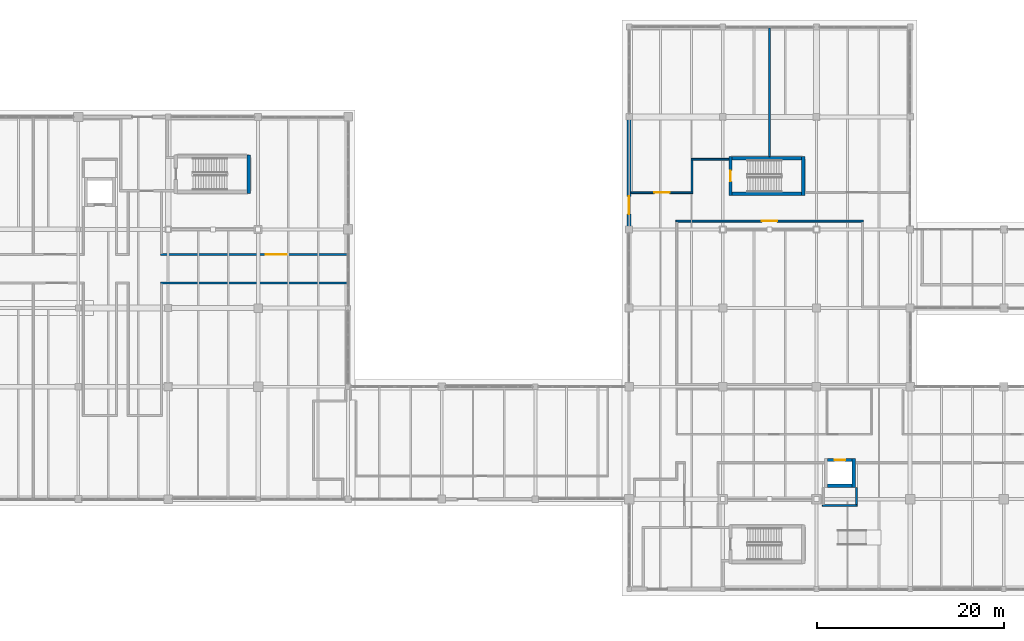
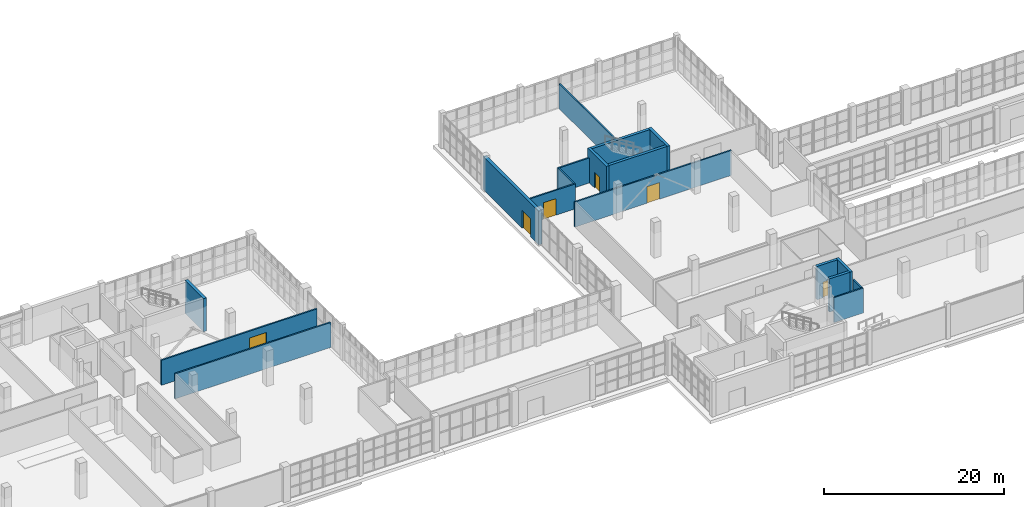
# One storey, part 102 of 121: 18 walls, 6 doors, 6 openings.
"""IFC4 building model written with IfcOpenShell, lengths in metres."""

from ifc_helpers import new_model, si_unit, direction, frame, frame_2d, origin, place, context, subcontext, project, spatial, rectangle, extrude, material, layer, layer_set, type_object, element, fill, save


model = new_model("IFC4")

# Units and contexts
model_context = context("Model", 3, precision=1e-05, world=origin(), true_north=direction((0.0, 1.0)))
body_context = subcontext(model_context, "Body", "Model", "MODEL_VIEW")
ifc_project = project(units=[si_unit("LENGTHUNIT", "METRE"), si_unit("AREAUNIT", "SQUARE_METRE"), si_unit("VOLUMEUNIT", "CUBIC_METRE"), si_unit("PLANEANGLEUNIT", "RADIAN"), si_unit("MASSUNIT", "GRAM", prefix="KILO")], contexts=[model_context])

# Site, building, storey
site_placement = place(None, origin())
site = spatial("IfcSite", under=ifc_project, at=site_placement, CompositionType="ELEMENT")
building_placement = place(site_placement, origin())
building = spatial("IfcBuilding", under=site, at=building_placement, Name="Zereglee Splitstone Museum", CompositionType="ELEMENT")
storey_placement = place(building_placement, origin())
storey = spatial("IfcBuildingStorey", under=building, at=storey_placement, Name="L00", CompositionType="ELEMENT", Elevation=0.0)

# Wall
ifc_material_1 = material(Name="Concrete C45/55", Category="concrete")
ifc_layer_1 = layer(ifc_material_1, 0.360107421875)
ifc_layer_set_1 = layer_set([ifc_layer_1], Name="Concrete C45/55")
wall_type_1 = type_object("IfcWallType", Name="CSW-02", PredefinedType="SHEAR", material=ifc_layer_set_1)
wall_1_placement = place(storey_placement, frame((134.580078125, 42.239990234375, 0.0), z_axis=(0.0, 0.0, 1.0), x_axis=(0.0, 1.0, 0.0)))
element("IfcWall", 1, at=wall_1_placement, inside=storey, type_object=wall_type_1, Name="Stair Core Shear Wall ST-03 L00 East", PredefinedType="SHEAR", context=body_context, shape_type="SweptSolid", body=[
    extrude(rectangle(XDim=4.1201171875, YDim=0.360107421875, at=frame_2d((2.06005859375, 0.0))), origin(), (0.0, 0.0, 1.0), 4.5),
])

# Wall, opening, door
wall_2_placement = place(storey_placement, frame((186.02001953125, 42.0400390625, 0.0), z_axis=(0.0, 0.0, 1.0), x_axis=(0.0, 1.0, 0.0)))
wall_2 = element("IfcWall", 2, at=wall_2_placement, inside=storey, type_object=wall_type_1, Name="Stair Core Shear Wall ST-07 L00 West", PredefinedType="SHEAR", context=body_context, shape_type="SweptSolid", body=[
    extrude(rectangle(XDim=4.119873046875, YDim=0.360107421875, at=frame_2d((2.06005859375, 0.0))), origin(), (0.0, 0.0, 1.0), 4.5),
])
opening_1_placement = place(wall_2_placement, frame((1.485107421875, 0.0, 0.0)))
opening_1 = element("IfcOpeningElement", 3, at=opening_1_placement, cuts=wall_2, Name="Opening ID-03", PredefinedType="OPENING", context=body_context, shape_type="SweptSolid", body=[
    extrude(rectangle(XDim=1.14990234375, YDim=2.14990234375, at=frame_2d((0.574951171875, 1.074951171875))), frame((0.0, 0.19482421875, 0.0), z_axis=(0.0, -1.0, 0.0), x_axis=(1.0, 0.0, 0.0)), (0.0, 0.0, 1.0), 0.389892578125),
])
ifc_material_2 = material(Name="Fire-rated steel and Siberian larch leaf", Category="steel")
door_type_1 = type_object("IfcDoorType", Name="ID-03", OperationType="NOTDEFINED", PredefinedType="DOOR", material=ifc_material_2)
door_1_placement = place(opening_1_placement, origin())
door_1 = element("IfcDoor", 4, at=door_1_placement, inside=storey, type_object=door_type_1, Name="Protected Stair Fire Door ST-07 L00", OperationType="SINGLE_SWING_RIGHT", OverallHeight=2.14990234375, OverallWidth=1.14990234375, PredefinedType="DOOR", context=body_context, shape_type="SweptSolid", body=[
    extrude(rectangle(XDim=1.14990234375, YDim=2.14990234375, at=frame_2d((0.574951171875, 1.074951171875))), frame((0.0, 0.02490234375, 0.0), z_axis=(0.0, -1.0, 0.0), x_axis=(1.0, 0.0, 0.0)), (0.0, 0.0, 1.0), 0.050048828125),
])
fill(opening_1, door_1)

# Walls
wall_3_placement = place(storey_placement, frame((193.780029296875, 42.0400390625, 0.0), z_axis=(0.0, 0.0, 1.0), x_axis=(0.0, 1.0, 0.0)))
element("IfcWall", 5, at=wall_3_placement, inside=storey, type_object=wall_type_1, Name="Stair Core Shear Wall ST-07 L00 East", PredefinedType="SHEAR", context=body_context, shape_type="SweptSolid", body=[
    extrude(rectangle(XDim=4.119873046875, YDim=0.360107421875, at=frame_2d((2.06005859375, 0.0))), origin(), (0.0, 0.0, 1.0), 4.5),
])
for number, where, z_axis, x_axis, name in (
    (6, (186.199951171875, 45.97998046875, 0.0), (0.0, 0.0, 1.0), (1.0, 0.0, 0.0), "Stair Core Shear Wall ST-07 L00 North"),
    (7, (186.199951171875, 42.219970703125, 0.0), (0.0, 0.0, 1.0), (1.0, 0.0, 0.0), "Stair Core Shear Wall ST-07 L00 South"),
):
    element("IfcWall", number, at=place(storey_placement, frame(where, z_axis=z_axis, x_axis=x_axis)), inside=storey, type_object=wall_type_1, Name=name, PredefinedType="SHEAR", context=body_context, shape_type="SweptSolid", body=[
        extrude(rectangle(XDim=7.400146484375, YDim=0.360107421875, at=frame_2d((3.7001953125, 0.0))), origin(), (0.0, 0.0, 1.0), 4.5),
    ])

# Wall, opening, door
wall_4_placement = place(storey_placement, frame((196.39990234375, 13.780029296875, 0.0), z_axis=(0.0, 0.0, 1.0), x_axis=(1.0, 0.0, 0.0)))
wall_4 = element("IfcWall", 8, at=wall_4_placement, inside=storey, type_object=wall_type_1, Name="Lift Shaft Wall PL-03 L00 North", PredefinedType="SHEAR", context=body_context, shape_type="SweptSolid", body=[
    extrude(rectangle(XDim=2.60009765625, YDim=0.360107421875, at=frame_2d((1.300048828125, 0.0))), origin(), (0.0, 0.0, 1.0), 4.5),
])
opening_2_placement = place(wall_4_placement, frame((0.75, 0.0, 0.0)))
opening_2 = element("IfcOpeningElement", 9, at=opening_2_placement, cuts=wall_4, Name="Opening LD-01", PredefinedType="OPENING", context=body_context, shape_type="SweptSolid", body=[
    extrude(rectangle(XDim=1.10009765625, YDim=2.14990234375, at=frame_2d((0.550048828125, 1.074951171875))), frame((0.0, 0.19482421875, 0.0), z_axis=(0.0, -1.0, 0.0), x_axis=(1.0, 0.0, 0.0)), (0.0, 0.0, 1.0), 0.389892578125),
])
door_type_2 = type_object("IfcDoorType", Name="LD-01", OperationType="DOUBLE_DOOR_SLIDING", PredefinedType="DOOR", material=ifc_material_2)
door_2_placement = place(opening_2_placement, origin())
door_2 = element("IfcDoor", 10, at=door_2_placement, inside=storey, type_object=door_type_2, Name="Lift Landing Sliding Door PL-03 L00", OperationType="DOUBLE_DOOR_SLIDING", OverallHeight=2.14990234375, OverallWidth=1.10009765625, PredefinedType="DOOR", context=body_context, shape_type="SweptSolid", body=[
    extrude(rectangle(XDim=1.10009765625, YDim=2.14990234375, at=frame_2d((0.550048828125, 1.074951171875))), frame((0.0, 0.02490234375, 0.0), z_axis=(0.0, -1.0, 0.0), x_axis=(1.0, 0.0, 0.0)), (0.0, 0.0, 1.0), 0.050048828125),
])
fill(opening_2, door_2)

# Walls
wall_5_placement = place(storey_placement, frame((196.39990234375, 11.02001953125, 0.0), z_axis=(0.0, 0.0, 1.0), x_axis=(1.0, 0.0, 0.0)))
element("IfcWall", 11, at=wall_5_placement, inside=storey, type_object=wall_type_1, Name="Lift Shaft Wall PL-03 L00 South", PredefinedType="SHEAR", context=body_context, shape_type="SweptSolid", body=[
    extrude(rectangle(XDim=2.60009765625, YDim=0.360107421875, at=frame_2d((1.300048828125, 0.0))), origin(), (0.0, 0.0, 1.0), 4.5),
])
wall_6_placement = place(storey_placement, frame((199.179931640625, 10.840087890625, 0.0), z_axis=(0.0, 0.0, 1.0), x_axis=(0.0, 1.0, 0.0)))
element("IfcWall", 12, at=wall_6_placement, inside=storey, type_object=wall_type_1, Name="Lift Shaft Wall PL-03 L00 East", PredefinedType="SHEAR", context=body_context, shape_type="SweptSolid", body=[
    extrude(rectangle(XDim=3.119873046875, YDim=0.360107421875, at=frame_2d((1.56005859375, 0.0))), origin(), (0.0, 0.0, 1.0), 4.5),
])

# Wall, opening, door
ifc_material_3 = material(Name="Concrete C40/50", Category="concrete")
ifc_layer_2 = layer(ifc_material_3, 0.39990234375)
ifc_layer_set_2 = layer_set([ifc_layer_2], Name="Concrete C40/50")
wall_type_2 = type_object("IfcWallType", Name="EW-02", PredefinedType="STANDARD", material=ifc_layer_set_2)
wall_7_placement = place(storey_placement, frame((175.199951171875, 50.580078125, 0.0), z_axis=(0.0, 0.0, 1.0), x_axis=(0.0, -1.0, 0.0)))
wall_7 = element("IfcWall", 13, at=wall_7_placement, inside=storey, type_object=wall_type_2, Name="Exterior Backup Wall RC4-EW-L00-0007", PredefinedType="STANDARD", context=body_context, shape_type="SweptSolid", body=[
    extrude(rectangle(XDim=12.360107421875, YDim=0.39990234375, at=frame_2d((6.18017578125, 0.0))), origin(), (0.0, 0.0, 1.0), 4.5),
])
opening_3_placement = place(wall_7_placement, frame((8.64990234375, 0.0, 0.0)))
opening_3 = element("IfcOpeningElement", 14, at=opening_3_placement, cuts=wall_7, Name="Opening ED-03", PredefinedType="OPENING", context=body_context, shape_type="SweptSolid", body=[
    extrude(rectangle(XDim=1.89990234375, YDim=2.39990234375, at=frame_2d((0.949951171875, 1.199951171875))), frame((0.0, 0.21484375, 0.0), z_axis=(0.0, -1.0, 0.0), x_axis=(1.0, 0.0, 0.0)), (0.0, 0.0, 1.0), 0.4296875),
])
ifc_material_4 = material(Name="Insulated galvanised steel S250GD", Category="steel")
door_type_3 = type_object("IfcDoorType", Name="ED-03", OperationType="DOUBLE_DOOR_SINGLE_SWING", PredefinedType="DOOR", material=ifc_material_4)
door_3_placement = place(opening_3_placement, frame((1.89990234375, 0.0, 0.0), z_axis=(0.0, 0.0, 1.0), x_axis=(-1.0, 0.0, 0.0)))
door_3 = element("IfcDoor", 15, at=door_3_placement, inside=storey, type_object=door_type_3, Name="Ground Protected Exit Door ED-L00-06", OperationType="DOUBLE_DOOR_SINGLE_SWING", OverallHeight=2.39990234375, OverallWidth=1.89990234375, PredefinedType="DOOR", context=body_context, shape_type="SweptSolid", body=[
    extrude(rectangle(XDim=1.89990234375, YDim=2.39990234375, at=frame_2d((0.949951171875, 1.199951171875))), frame((0.0, 0.02490234375, 0.0), z_axis=(0.0, -1.0, 0.0), x_axis=(1.0, 0.0, 0.0)), (0.0, 0.0, 1.0), 0.050048828125),
])
fill(opening_3, door_3)

# Walls
ifc_material_5 = material(Name="Gypsum board on acoustic steel stud", Category="steel")
ifc_layer_3 = layer(ifc_material_5, 0.18994140625)
ifc_layer_set_3 = layer_set([ifc_layer_3], Name="Gypsum board on acoustic steel stud")
wall_type_3 = type_object("IfcWallType", Name="IW-02", PredefinedType="PARTITIONING", material=ifc_layer_set_3)
wall_8_placement = place(storey_placement, frame((195.824951171875, 8.919921875, 0.0), z_axis=(0.0, 0.0, 1.0), x_axis=(1.0, 0.0, 0.0)))
element("IfcWall", 16, at=wall_8_placement, inside=storey, type_object=wall_type_3, Name="Interior Partition L00-0162 (Steppe Ecology Gallery)", PredefinedType="PARTITIONING", context=body_context, shape_type="SweptSolid", body=[
    extrude(rectangle(XDim=3.75, YDim=0.18994140625, at=frame_2d((1.875, 0.0))), origin(), (0.0, 0.0, 1.0), 3.3798828125),
])
wall_9_placement = place(storey_placement, frame((125.18505859375, 32.679931640625, 0.0), z_axis=(0.0, 0.0, 1.0), x_axis=(1.0, 0.0, 0.0)))
element("IfcWall", 17, at=wall_9_placement, inside=storey, type_object=wall_type_3, Name="Interior Partition L00-0210 (Cretaceous Dinosaur Exhibition Gallery)", PredefinedType="PARTITIONING", context=body_context, shape_type="SweptSolid", body=[
    extrude(rectangle(XDim=19.925048828125, YDim=0.18994140625, at=frame_2d((9.96240234375, 0.0))), origin(), (0.0, 0.0, 1.0), 3.3798828125),
])

# Wall, opening, door
wall_10_placement = place(storey_placement, frame((125.18505859375, 35.719970703125, 0.0), z_axis=(0.0, 0.0, 1.0), x_axis=(1.0, 0.0, 0.0)))
wall_10 = element("IfcWall", 18, at=wall_10_placement, inside=storey, type_object=wall_type_3, Name="Interior Partition L00-0214 (Temporary Exhibition Gallery)", PredefinedType="PARTITIONING", context=body_context, shape_type="SweptSolid", body=[
    extrude(rectangle(XDim=19.925048828125, YDim=0.18994140625, at=frame_2d((9.96240234375, 0.0))), origin(), (0.0, 0.0, 1.0), 3.3798828125),
])
opening_4_placement = place(wall_10_placement, frame((11.25341796875, 0.0, 0.0)))
opening_4 = element("IfcOpeningElement", 19, at=opening_4_placement, cuts=wall_10, Name="Opening ID-01", PredefinedType="OPENING", context=body_context, shape_type="SweptSolid", body=[
    extrude(rectangle(XDim=2.199951171875, YDim=2.449951171875, at=frame_2d((1.10009765625, 1.22509765625))), frame((0.0, 0.10986328125, 0.0), z_axis=(0.0, -1.0, 0.0), x_axis=(1.0, 0.0, 0.0)), (0.0, 0.0, 1.0), 0.2197265625),
])
door_type_4 = type_object("IfcDoorType", Name="ID-01", OperationType="NOTDEFINED", PredefinedType="DOOR", material=ifc_material_2)
door_4_placement = place(opening_4_placement, origin())
door_4 = element("IfcDoor", 20, at=door_4_placement, inside=storey, type_object=door_type_4, Name="Interior Door L00-0040 (Temporary Exhibition Gallery)", OperationType="DOUBLE_DOOR_SINGLE_SWING", OverallHeight=2.449951171875, OverallWidth=2.199951171875, PredefinedType="DOOR", context=body_context, shape_type="SweptSolid", body=[
    extrude(rectangle(XDim=2.199951171875, YDim=2.449951171875, at=frame_2d((1.10009765625, 1.22509765625))), frame((0.0, 0.02490234375, 0.0), z_axis=(0.0, -1.0, 0.0), x_axis=(1.0, 0.0, 0.0)), (0.0, 0.0, 1.0), 0.050048828125),
])
fill(opening_4, door_4)

wall_11_placement = place(storey_placement, frame((180.18505859375, 39.280029296875, 0.0), z_axis=(0.0, 0.0, 1.0), x_axis=(1.0, 0.0, 0.0)))
wall_11 = element("IfcWall", 21, at=wall_11_placement, inside=storey, type_object=wall_type_3, Name="Interior Partition L00-0217 (Museum Education Studio)", PredefinedType="PARTITIONING", context=body_context, shape_type="SweptSolid", body=[
    extrude(rectangle(XDim=20.030029296875, YDim=0.18994140625, at=frame_2d((10.01513671875, 0.0))), origin(), (0.0, 0.0, 1.0), 3.3798828125),
])
opening_5_placement = place(wall_11_placement, frame((9.18994140625, 0.0, 0.0)))
opening_5 = element("IfcOpeningElement", 22, at=opening_5_placement, cuts=wall_11, Name="Opening ID-13", PredefinedType="OPENING", context=body_context, shape_type="SweptSolid", body=[
    extrude(rectangle(XDim=1.64990234375, YDim=2.25, at=frame_2d((0.824951171875, 1.125))), frame((0.0, 0.10986328125, 0.0), z_axis=(0.0, -1.0, 0.0), x_axis=(1.0, 0.0, 0.0)), (0.0, 0.0, 1.0), 0.2197265625),
])
door_type_5 = type_object("IfcDoorType", Name="ID-13", OperationType="NOTDEFINED", PredefinedType="DOOR", material=ifc_material_2)
door_5_placement = place(opening_5_placement, frame((1.64990234375, 0.0, 0.0), z_axis=(0.0, 0.0, 1.0), x_axis=(-1.0, 0.0, 0.0)))
door_5 = element("IfcDoor", 23, at=door_5_placement, inside=storey, type_object=door_type_5, Name="Interior Door L00-0047 (Museum Education Studio)", OperationType="DOUBLE_DOOR_SINGLE_SWING", OverallHeight=2.25, OverallWidth=1.64990234375, PredefinedType="DOOR", context=body_context, shape_type="SweptSolid", body=[
    extrude(rectangle(XDim=1.64990234375, YDim=2.25, at=frame_2d((0.824951171875, 1.125))), frame((0.0, 0.02490234375, 0.0), z_axis=(0.0, -1.0, 0.0), x_axis=(1.0, 0.0, 0.0)), (0.0, 0.0, 1.0), 0.050048828125),
])
fill(opening_5, door_5)

wall_12_placement = place(storey_placement, frame((175.39990234375, 42.320068359375, 0.0), z_axis=(0.0, 0.0, 1.0), x_axis=(1.0, 0.0, 0.0)))
wall_12 = element("IfcWall", 24, at=wall_12_placement, inside=storey, type_object=wall_type_3, Name="Interior Partition L00-0219 (School Orientation Seminar Room)", PredefinedType="PARTITIONING", context=body_context, shape_type="SweptSolid", body=[
    extrude(rectangle(XDim=6.614990234375, YDim=0.18994140625, at=frame_2d((3.3076171875, 0.0))), origin(), (0.0, 0.0, 1.0), 3.3798828125),
])
opening_6_placement = place(wall_12_placement, frame((2.482421875, 0.0, 0.0)))
opening_6 = element("IfcOpeningElement", 25, at=opening_6_placement, cuts=wall_12, Name="Opening ID-13", PredefinedType="OPENING", context=body_context, shape_type="SweptSolid", body=[
    extrude(rectangle(XDim=1.64990234375, YDim=2.25, at=frame_2d((0.824951171875, 1.125))), frame((0.0, 0.10986328125, 0.0), z_axis=(0.0, -1.0, 0.0), x_axis=(1.0, 0.0, 0.0)), (0.0, 0.0, 1.0), 0.2197265625),
])
door_6_placement = place(opening_6_placement, origin())
door_6 = element("IfcDoor", 26, at=door_6_placement, inside=storey, type_object=door_type_5, Name="Interior Door L00-0048 (School Orientation Seminar Room)", OperationType="DOUBLE_DOOR_SINGLE_SWING", OverallHeight=2.25, OverallWidth=1.64990234375, PredefinedType="DOOR", context=body_context, shape_type="SweptSolid", body=[
    extrude(rectangle(XDim=1.64990234375, YDim=2.25, at=frame_2d((0.824951171875, 1.125))), frame((0.0, 0.02490234375, 0.0), z_axis=(0.0, -1.0, 0.0), x_axis=(1.0, 0.0, 0.0)), (0.0, 0.0, 1.0), 0.050048828125),
])
fill(opening_6, door_6)

# Walls
wall_13_placement = place(storey_placement, frame((181.824951171875, 45.8798828125, 0.0), z_axis=(0.0, 0.0, 1.0), x_axis=(1.0, 0.0, 0.0)))
element("IfcWall", 27, at=wall_13_placement, inside=storey, type_object=wall_type_3, Name="Interior Partition L00-0225 (School Orientation Seminar Room)", PredefinedType="PARTITIONING", context=body_context, shape_type="SweptSolid", body=[
    extrude(rectangle(XDim=4.01513671875, YDim=0.18994140625, at=frame_2d((2.007568359375, 0.0))), origin(), (0.0, 0.0, 1.0), 3.3798828125),
])
wall_14_placement = place(storey_placement, frame((181.919921875, 42.4150390625, 0.0), z_axis=(0.0, 0.0, 1.0), x_axis=(0.0, 1.0, 0.0)))
element("IfcWall", 28, at=wall_14_placement, inside=storey, type_object=wall_type_3, Name="Interior Partition L00-0290 (School Orientation Seminar Room)", PredefinedType="PARTITIONING", context=body_context, shape_type="SweptSolid", body=[
    extrude(rectangle(XDim=3.369873046875, YDim=0.18994140625, at=frame_2d((1.68505859375, 0.0))), origin(), (0.0, 0.0, 1.0), 3.3798828125),
])
wall_15_placement = place(storey_placement, frame((190.199951171875, 46.159912109375, 0.0), z_axis=(0.0, 0.0, 1.0), x_axis=(0.0, 1.0, 0.0)))
element("IfcWall", 29, at=wall_15_placement, inside=storey, type_object=wall_type_3, Name="Interior Partition L00-0294 (School Orientation Seminar Room)", PredefinedType="PARTITIONING", context=body_context, shape_type="SweptSolid", body=[
    extrude(rectangle(XDim=13.75, YDim=0.18994140625, at=frame_2d((6.875, 0.0))), origin(), (0.0, 0.0, 1.0), 3.3798828125),
])
wall_16_placement = place(storey_placement, frame((199.47998046875, 9.014892578125, 0.0), z_axis=(0.0, 0.0, 1.0), x_axis=(0.0, 1.0, 0.0)))
element("IfcWall", 30, at=wall_16_placement, inside=storey, type_object=wall_type_3, Name="Interior Partition L00-0297 (Steppe Ecology Gallery)", PredefinedType="PARTITIONING", context=body_context, shape_type="SweptSolid", body=[
    extrude(rectangle(XDim=1.8251953125, YDim=0.18994140625, at=frame_2d((0.91259765625, 0.0))), origin(), (0.0, 0.0, 1.0), 3.3798828125),
])

save(model, "model.ifc")
